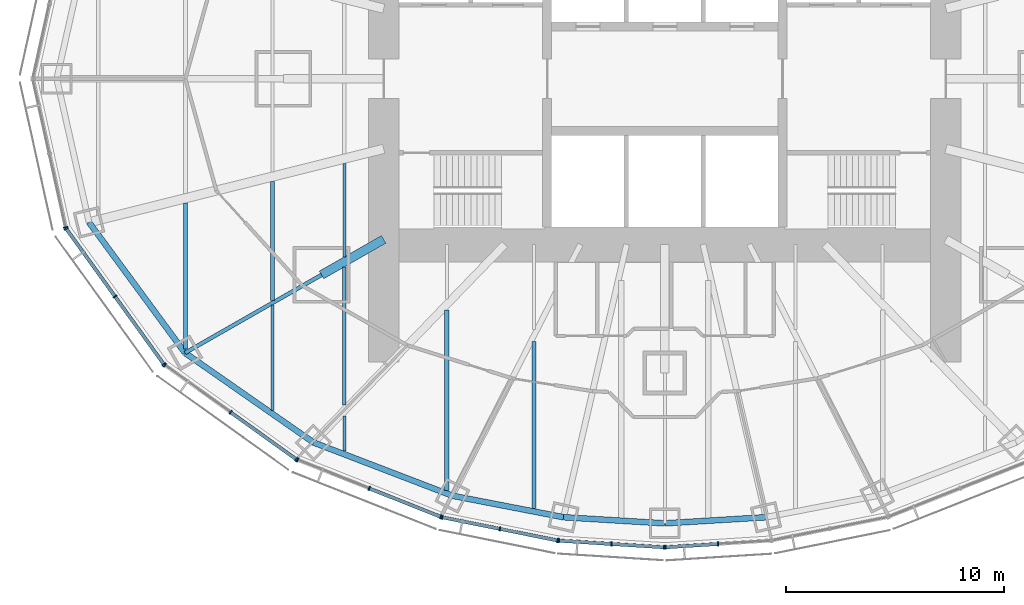
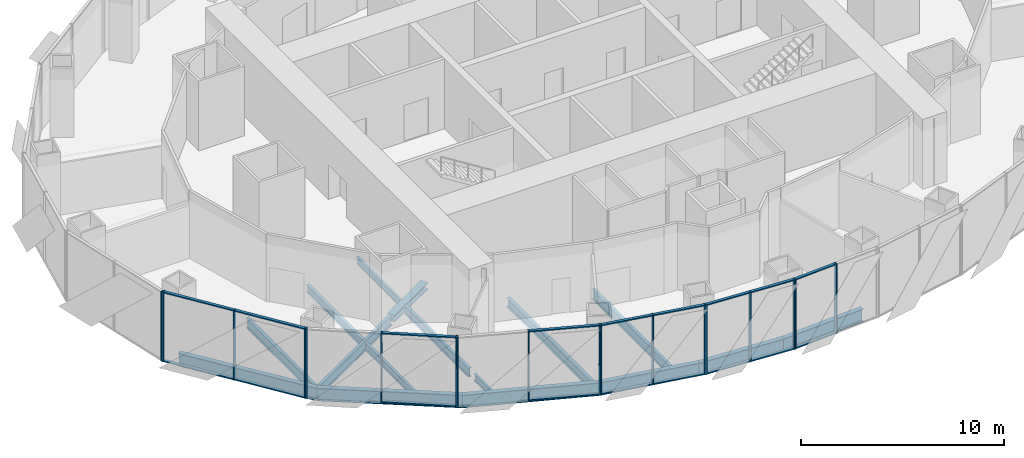
# One storey, part 2 of 18: 36 members, 16 beams, 7 elements without a shape of their own.
"""IFC4 building model written with IfcOpenShell, lengths in metres."""

import ifcopenshell
import ifcopenshell.guid

model = None  # the IFC model being written
_history = None  # IfcOwnerHistory: only IFC2X3 demands one
_inside = {}  # id of a spatial element -> (the spatial element, [elements in it])
_under = {}  # id of a project, library or spatial element -> (it, [spatial elements below it])
_declared = {}  # id of a project -> (the project, [libraries it declares])
_typed = {}  # id of a type object -> (the type object, [elements of that type])
_made_of = {}  # id of a material, layer set ... -> (it, [elements and type objects made of it])


def new_model(schema):
    """Start an empty IFC model of exactly this schema.

    Asked for "IFC4X3", IfcOpenShell would pick the latest addendum, in which some entities
    have other attributes; the version numbers below select the first issue.
    IFC2X3 requires an IfcOwnerHistory on every rooted entity: one is made here for all.
    """
    global model, _history
    if schema == "IFC4X3":
        model = ifcopenshell.file(schema_version=(4, 3, 0, 0))
    else:
        model = ifcopenshell.file(schema=schema)
    _inside.clear()
    _under.clear()
    _declared.clear()
    _typed.clear()
    _made_of.clear()
    _history = None
    if model.schema == "IFC2X3":
        org = make("IfcOrganization", Name="unknown")
        user = make(
            "IfcPersonAndOrganization",
            ThePerson=make("IfcPerson", FamilyName="unknown"),
            TheOrganization=org,
        )
        app = make(
            "IfcApplication",
            ApplicationDeveloper=org,
            Version="unknown",
            ApplicationFullName="unknown",
            ApplicationIdentifier="unknown",
        )
        _history = make(
            "IfcOwnerHistory",
            OwningUser=user,
            OwningApplication=app,
            ChangeAction="ADDED",
            CreationDate=0,
        )
    return model


def make(cls, **values):
    """One entity of the class cls with the attributes given. An attribute that is None is left unset."""
    return model.create_entity(
        cls, **{name: value for name, value in values.items() if value is not None}
    )


def rooted(cls, **values):
    """An entity with a GlobalId (a new one), such as an element, a storey or a relation."""
    return make(cls, GlobalId=ifcopenshell.guid.new(), OwnerHistory=_history, **values)


def si_unit(unit_type, name, prefix=None):
    """IfcSIUnit, for example si_unit("LENGTHUNIT", "METRE", prefix="MILLI")."""
    return make("IfcSIUnit", UnitType=unit_type, Prefix=prefix, Name=name)


def assignment(units):
    """IfcUnitAssignment: the units of a project."""
    return None if units is None else make("IfcUnitAssignment", Units=units)


def point(xyz):
    """IfcCartesianPoint."""
    return None if xyz is None else make("IfcCartesianPoint", Coordinates=xyz)


def direction(xyz):
    """IfcDirection."""
    return None if xyz is None else make("IfcDirection", DirectionRatios=xyz)


def frame(location, z_axis=None, x_axis=None):
    """IfcAxis2Placement3D, a coordinate frame: its origin and axes. An axis left out is left unset."""
    return make(
        "IfcAxis2Placement3D",
        Location=point(location),
        Axis=direction(z_axis),
        RefDirection=direction(x_axis),
    )


def frame_2d(location, x_axis=None):
    """IfcAxis2Placement2D, a coordinate frame in the plane: its origin and x axis."""
    return make(
        "IfcAxis2Placement2D", Location=point(location), RefDirection=direction(x_axis)
    )


def origin():
    """The frame at (0, 0, 0) with its axes left unset."""
    return frame((0.0, 0.0, 0.0))


def origin_2d():
    """The frame at (0, 0) in the plane with its x axis left unset."""
    return frame_2d((0.0, 0.0))


def place(relative_to, where):
    """IfcLocalPlacement: puts the frame where relative to a parent placement (None: the world)."""
    return make(
        "IfcLocalPlacement", PlacementRelTo=relative_to, RelativePlacement=where
    )


def context(
    kind, dimensions, precision=None, world=None, true_north=None, identifier=None
):
    """IfcGeometricRepresentationContext, for example the 3D "Model" context."""
    return make(
        "IfcGeometricRepresentationContext",
        ContextIdentifier=identifier,
        ContextType=kind,
        CoordinateSpaceDimension=dimensions,
        Precision=precision,
        WorldCoordinateSystem=world,
        TrueNorth=true_north,
    )


def subcontext(parent, identifier, kind, view, scale=None):
    """IfcGeometricRepresentationSubContext, for example "Body" below "Model"."""
    return make(
        "IfcGeometricRepresentationSubContext",
        ContextIdentifier=identifier,
        ContextType=kind,
        ParentContext=parent,
        TargetScale=scale,
        TargetView=view,
    )


def project(units=None, contexts=None):
    """IfcProject with its units and contexts."""
    return rooted(
        "IfcProject",
        Name="project",
        RepresentationContexts=contexts,
        UnitsInContext=assignment(units),
    )


def spatial(cls, under=None, at=None, **own):
    """A site, building, storey or space (cls), placed at a placement, below another one or the project."""
    s = rooted(cls, ObjectPlacement=at, **own)
    if under is not None:
        _under.setdefault(under.id(), (under, []))[1].append(s)
    return s


def profile(cls, at=None, kind="AREA", **sizes):
    """A parametric profile (cls). Its sizes go by their IFC names, for example OverallWidth=200.0."""
    return make(cls, ProfileType=kind, Position=at, **sizes)


def rectangle(**sizes):
    """IfcRectangleProfileDef."""
    return profile("IfcRectangleProfileDef", **sizes)


def i_section(**sizes):
    """IfcIShapeProfileDef."""
    return profile("IfcIShapeProfileDef", **sizes)


def extrude(swept, where, along, depth):
    """IfcExtrudedAreaSolid: the profile swept, set in the frame where, extruded along a direction by depth."""
    return make(
        "IfcExtrudedAreaSolid",
        SweptArea=swept,
        Position=where,
        ExtrudedDirection=direction(along),
        Depth=depth,
    )


def shape(context_of_items, identifier, shape_type, items):
    """IfcShapeRepresentation: the items that make up one representation, for example the "Body"."""
    return make(
        "IfcShapeRepresentation",
        ContextOfItems=context_of_items,
        RepresentationIdentifier=identifier,
        RepresentationType=shape_type,
        Items=items,
    )


def material(Name=None, Category=None):
    """IfcMaterial."""
    return make("IfcMaterial", Name=Name, Category=Category)


def material_profile(
    of_material, cross_section, Name=None, Category=None, Priority=None
):
    """IfcMaterialProfile: a cross section and its material."""
    return make(
        "IfcMaterialProfile",
        Name=Name,
        Material=of_material,
        Profile=cross_section,
        Priority=Priority,
        Category=Category,
    )


def profile_set(profiles, Name=None, composite=None):
    """IfcMaterialProfileSet."""
    return make(
        "IfcMaterialProfileSet",
        Name=Name,
        MaterialProfiles=profiles,
        CompositeProfile=composite,
    )


def made_of(thing, what):
    """Note that an element or type object is made of a material, layer set ...; save() writes the relation."""
    if what is not None:
        _made_of.setdefault(what.id(), (what, []))[1].append(thing)
    return thing


def type_object(cls, material=None, **own):
    """A type object (cls), such as IfcWallType, which elements share."""
    return made_of(rooted(cls, **own), material)


def element(
    cls,
    number,
    at=None,
    inside=None,
    cuts=None,
    type_object=None,
    material=None,
    context=None,
    identifier="Body",
    shape_type=None,
    held_by="IfcProductDefinitionShape",
    body=None,
    shapes=None,
    **own,
):
    """One element of the class cls, such as IfcWall. Its Tag is "e" and its number.

    at: its placement. inside: the storey or other place that contains it. cuts: it is an
    opening in that element (IfcRelVoidsElement). A single representation is given by context,
    identifier, shape_type and body (its items); several are given by shapes. held_by: the class
    of the entity that holds the representations. save() writes the other relations.
    """
    e = rooted(cls, Tag="e%d" % number, ObjectPlacement=at, **own)
    if body is not None:
        shapes = [shape(context, identifier, shape_type, body)]
    if shapes is not None:
        e.Representation = make(held_by, Representations=shapes)
    if inside is not None:
        _inside.setdefault(inside.id(), (inside, []))[1].append(e)
    if cuts is not None:
        rooted(
            "IfcRelVoidsElement", RelatingBuildingElement=cuts, RelatedOpeningElement=e
        )
    if type_object is not None:
        _typed.setdefault(type_object.id(), (type_object, []))[1].append(e)
    return made_of(e, material)


def aggregate(whole, parts):
    """IfcRelAggregates: a whole, such as a stair, and the parts it consists of."""
    return rooted("IfcRelAggregates", RelatingObject=whole, RelatedObjects=parts)


def save(model, path):
    """Write the relations noted so far, then the file.

    IfcRelAggregates (storeys below a building ...), IfcRelContainedInSpatialStructure (elements
    in a storey), IfcRelDefinesByType, IfcRelAssociatesMaterial and IfcRelDeclares: one each for
    every whole, place, type object, material and project.
    """
    for whole, parts in _under.values():
        aggregate(whole, parts)
    for where, things in _inside.values():
        rooted(
            "IfcRelContainedInSpatialStructure",
            RelatedElements=things,
            RelatingStructure=where,
        )
    for kind, things in _typed.values():
        rooted("IfcRelDefinesByType", RelatedObjects=things, RelatingType=kind)
    for what, things in _made_of.values():
        rooted("IfcRelAssociatesMaterial", RelatedObjects=things, RelatingMaterial=what)
    for by, libraries in _declared.values():
        rooted("IfcRelDeclares", RelatingContext=by, RelatedDefinitions=libraries)
    model.write(path)


model = new_model("IFC4")

# Units and contexts
model_context = context("Model", 3, precision=1e-05, world=origin(), true_north=direction((0.0, 1.0)))
body_context = subcontext(model_context, "Body", "Model", "MODEL_VIEW")
ifc_project = project(units=[si_unit("LENGTHUNIT", "METRE"), si_unit("AREAUNIT", "SQUARE_METRE"), si_unit("VOLUMEUNIT", "CUBIC_METRE"), si_unit("PLANEANGLEUNIT", "RADIAN"), si_unit("MASSUNIT", "GRAM", prefix="KILO")], contexts=[model_context])

# Site, building, storey
site_placement = place(None, origin())
site = spatial("IfcSite", under=ifc_project, at=site_placement, CompositionType="ELEMENT")
building_placement = place(site_placement, origin())
building = spatial("IfcBuilding", under=site, at=building_placement, Name="Lantaw Convention Tower", CompositionType="ELEMENT")
storey_placement = place(building_placement, frame((0.0, 0.0, 176.199951171875)))
storey = spatial("IfcBuildingStorey", under=building, at=storey_placement, Name="L41", CompositionType="ELEMENT", Elevation=176.199951171875)

# Beams
ifc_material_1 = material(Name="Steel ASTM A992", Category="steel")
ifc_material_profile_1 = material_profile(ifc_material_1, i_section(OverallWidth=0.2666015625, OverallDepth=0.76953125, WebThickness=0.015625, FlangeThickness=0.025390625, FilletRadius=0.0126953125, at=origin_2d()), Name="W30X132")
ifc_profile_set_1 = profile_set([ifc_material_profile_1], Name="Steel ASTM A992")
beam_type_1 = type_object("IfcBeamType", Name="Beam E W30X132", PredefinedType="SPANDREL", material=ifc_profile_set_1)
beam_1_placement = place(storey_placement, frame((-26.419921875, -6.587158203125, -0.53466796875), z_axis=(0.5923891972, -0.805651934176, 0.0), x_axis=(0.805651934176, 0.5923891972, 0.0)))
element("IfcBeam", 1, at=beam_1_placement, inside=storey, type_object=beam_type_1, Name="Edge beam 14", PredefinedType="SPANDREL", context=body_context, shape_type="SweptSolid", body=[
    extrude(i_section(OverallWidth=0.2666015625, OverallDepth=0.76953125, WebThickness=0.015625, FlangeThickness=0.025390625, FilletRadius=0.0126953125, at=origin_2d()), origin(), (0.0, 0.0, 1.0), 7.437744140625),
])
beam_2_placement = place(storey_placement, frame((-22.013916015625, -12.579345703125, -0.53466796875), z_axis=(0.820310765287, -0.57191804339, 0.0), x_axis=(0.57191804339, 0.820310765287, 0.0)))
element("IfcBeam", 2, at=beam_2_placement, inside=storey, type_object=beam_type_1, Name="Edge beam 15", PredefinedType="SPANDREL", context=body_context, shape_type="SweptSolid", body=[
    extrude(i_section(OverallWidth=0.2666015625, OverallDepth=0.76953125, WebThickness=0.015625, FlangeThickness=0.025390625, FilletRadius=0.0126953125, at=origin_2d()), origin(), (0.0, 0.0, 1.0), 7.187744140625),
])
beam_3_placement = place(storey_placement, frame((-16.11767578125, -16.690185546875, -0.53466796875), z_axis=(0.933691081977, -0.358079549033, 0.0), x_axis=(0.358079549033, 0.933691081977, 0.0)))
element("IfcBeam", 3, at=beam_3_placement, inside=storey, type_object=beam_type_1, Name="Edge beam 16", PredefinedType="SPANDREL", context=body_context, shape_type="SweptSolid", body=[
    extrude(i_section(OverallWidth=0.2666015625, OverallDepth=0.76953125, WebThickness=0.015625, FlangeThickness=0.025390625, FilletRadius=0.0126953125, at=origin_2d()), origin(), (0.0, 0.0, 1.0), 6.821533203125),
])
beam_4_placement = place(storey_placement, frame((-9.74853515625, -19.1328125, -0.53466796875), z_axis=(0.981796805654, -0.189934284446, 0.0), x_axis=(0.189934284446, 0.981796805654, 0.0)))
element("IfcBeam", 4, at=beam_4_placement, inside=storey, type_object=beam_type_1, Name="Edge beam 17", PredefinedType="SPANDREL", context=body_context, shape_type="SweptSolid", body=[
    extrude(i_section(OverallWidth=0.2666015625, OverallDepth=0.76953125, WebThickness=0.015625, FlangeThickness=0.025390625, FilletRadius=0.0126953125, at=origin_2d()), origin(), (0.0, 0.0, 1.0), 5.1982421875),
])
for number, where, z_axis, x_axis, name in (
    (5, (-4.64501953125, -20.1201171875, -0.53466796875), (0.998190892054, -0.06012439621, 0.0), (0.06012439621, 0.998190892054, 0.0), "Edge beam 18"),
    (6, (0.0, -20.39990234375, -0.53466796875), (0.998190892054, 0.06012439621, 0.0), (-0.06012439621, 0.998190892054, 0.0), "Edge beam 19"),
):
    element("IfcBeam", number, at=place(storey_placement, frame(where, z_axis=z_axis, x_axis=x_axis)), inside=storey, type_object=beam_type_1, Name=name, PredefinedType="SPANDREL", context=body_context, shape_type="SweptSolid", body=[
        extrude(i_section(OverallWidth=0.2666015625, OverallDepth=0.76953125, WebThickness=0.015625, FlangeThickness=0.025390625, FilletRadius=0.0126953125, at=origin_2d()), origin(), (0.0, 0.0, 1.0), 4.6533203125),
    ])
ifc_material_profile_2 = material_profile(ifc_material_1, i_section(OverallWidth=0.177978515625, OverallDepth=0.599365234375, WebThickness=0.010009765625, FlangeThickness=0.012939453125, FilletRadius=0.012939453125, at=origin_2d()), Name="W24X55")
ifc_profile_set_2 = profile_set([ifc_material_profile_2], Name="Steel ASTM A992")
beam_type_2 = type_object("IfcBeamType", Name="Beam G W24X55", PredefinedType="BEAM", material=ifc_profile_set_2)
beam_5_placement = place(storey_placement, frame((-15.75, -9.0, -0.44970703125), z_axis=(-0.868245224608, -0.496135293993, 0.0), x_axis=(0.496135293993, -0.868245224608, 0.0)))
element("IfcBeam", 7, at=beam_5_placement, inside=storey, type_object=beam_type_2, Name="Floor girder on ray 15", PredefinedType="BEAM", context=body_context, shape_type="SweptSolid", body=[
    extrude(i_section(OverallWidth=0.177978515625, OverallDepth=0.599365234375, WebThickness=0.010009765625, FlangeThickness=0.012939453125, FilletRadius=0.012939453125, at=origin_2d()), origin(), (0.0, 0.0, 1.0), 7.21435546875),
])
ifc_material_profile_3 = material_profile(ifc_material_1, i_section(OverallWidth=0.40380859375, OverallDepth=0.406494140625, WebThickness=0.027099609375, FlangeThickness=0.043701171875, FilletRadius=0.01513671875, at=origin_2d()), Name="W14X233")
ifc_profile_set_3 = profile_set([ifc_material_profile_3], Name="Steel ASTM A992")
beam_type_3 = type_object("IfcBeamType", Name="Beam GM W14X233", PredefinedType="BEAM", material=ifc_profile_set_3)
beam_6_placement = place(storey_placement, frame((-12.89990234375, -7.371337890625, -0.353271484375), z_axis=(-0.868238565244, -0.496146947811, 0.0), x_axis=(0.496146947811, -0.868238565244, 0.0)))
element("IfcBeam", 8, at=beam_6_placement, inside=storey, type_object=beam_type_3, Name="Core link beam on ray 15", PredefinedType="BEAM", context=body_context, shape_type="SweptSolid", body=[
    extrude(i_section(OverallWidth=0.40380859375, OverallDepth=0.406494140625, WebThickness=0.027099609375, FlangeThickness=0.043701171875, FilletRadius=0.01513671875, at=origin_2d()), origin(), (0.0, 0.0, 1.0), 3.28271484375),
])
ifc_material_profile_4 = material_profile(ifc_material_1, i_section(OverallWidth=0.140380859375, OverallDepth=0.40380859375, WebThickness=0.007080078125, FlangeThickness=0.01123046875, FilletRadius=0.01025390625, at=origin_2d()), Name="W16X31")
ifc_profile_set_4 = profile_set([ifc_material_profile_4], Name="Steel ASTM A992")
beam_type_4 = type_object("IfcBeamType", Name="Beam J W16X31", PredefinedType="JOIST", material=ifc_profile_set_4)
beam_7_placement = place(storey_placement, frame((-14.699951171875, -17.091064453125, -0.351806640625), z_axis=(0.0, 1.0, 0.0), x_axis=(-1.0, 0.0, 0.0)))
element("IfcBeam", 9, at=beam_7_placement, inside=storey, type_object=beam_type_4, Name="Floor joist", PredefinedType="JOIST", context=body_context, shape_type="SweptSolid", body=[
    extrude(i_section(OverallWidth=0.140380859375, OverallDepth=0.40380859375, WebThickness=0.007080078125, FlangeThickness=0.01123046875, FilletRadius=0.01025390625, at=origin_2d()), origin(), (0.0, 0.0, 1.0), 1.609130859375),
])
beam_8_placement = place(storey_placement, frame((-14.699951171875, -8.16748046875, -0.351806640625), z_axis=(0.0, 1.0, 0.0), x_axis=(-1.0, 0.0, 0.0)))
element("IfcBeam", 10, at=beam_8_placement, inside=storey, type_object=beam_type_4, Name="Floor joist", PredefinedType="JOIST", context=body_context, shape_type="SweptSolid", body=[
    extrude(i_section(OverallWidth=0.140380859375, OverallDepth=0.40380859375, WebThickness=0.007080078125, FlangeThickness=0.01123046875, FilletRadius=0.01025390625, at=origin_2d()), origin(), (0.0, 0.0, 1.0), 4.28515625),
])
ifc_material_profile_5 = material_profile(ifc_material_1, i_section(OverallWidth=0.15234375, OverallDepth=0.449462890625, WebThickness=0.007568359375, FlangeThickness=0.0107421875, FilletRadius=0.01025390625, at=origin_2d()), Name="W18X35")
ifc_profile_set_5 = profile_set([ifc_material_profile_5], Name="Steel ASTM A992")
beam_type_5 = type_object("IfcBeamType", Name="Beam J W18X35", PredefinedType="JOIST", material=ifc_profile_set_5)
beam_9_placement = place(storey_placement, frame((-18.0, -15.21533203125, -0.374755859375), z_axis=(0.0, 1.0, 0.0), x_axis=(-1.0, 0.0, 0.0)))
element("IfcBeam", 11, at=beam_9_placement, inside=storey, type_object=beam_type_5, Name="Floor joist", PredefinedType="JOIST", context=body_context, shape_type="SweptSolid", body=[
    extrude(i_section(OverallWidth=0.15234375, OverallDepth=0.449462890625, WebThickness=0.007568359375, FlangeThickness=0.0107421875, FilletRadius=0.01025390625, at=origin_2d()), origin(), (0.0, 0.0, 1.0), 4.8271484375),
])
ifc_material_profile_6 = material_profile(ifc_material_1, i_section(OverallWidth=0.1904296875, OverallDepth=0.457275390625, WebThickness=0.009033203125, FlangeThickness=0.014404296875, FilletRadius=0.01025390625, at=origin_2d()), Name="W18X50")
ifc_profile_set_6 = profile_set([ifc_material_profile_6], Name="Steel ASTM A992")
beam_type_6 = type_object("IfcBeamType", Name="Beam J W18X50", PredefinedType="JOIST", material=ifc_profile_set_6)
beam_10_placement = place(storey_placement, frame((-18.0, -10.18310546875, -0.378662109375), z_axis=(0.0, 1.0, 0.0), x_axis=(-1.0, 0.0, 0.0)))
element("IfcBeam", 12, at=beam_10_placement, inside=storey, type_object=beam_type_6, Name="Floor joist", PredefinedType="JOIST", context=body_context, shape_type="SweptSolid", body=[
    extrude(i_section(OverallWidth=0.1904296875, OverallDepth=0.457275390625, WebThickness=0.009033203125, FlangeThickness=0.014404296875, FilletRadius=0.01025390625, at=origin_2d()), origin(), (0.0, 0.0, 1.0), 5.47802734375),
])
ifc_material_profile_7 = material_profile(ifc_material_1, i_section(OverallWidth=0.1650390625, OverallDepth=0.52587890625, WebThickness=0.0087890625, FlangeThickness=0.011474609375, FilletRadius=0.0126953125, at=origin_2d()), Name="W21X44")
ifc_profile_set_7 = profile_set([ifc_material_profile_7], Name="Steel ASTM A992")
beam_type_7 = type_object("IfcBeamType", Name="Beam J W21X44", PredefinedType="JOIST", material=ifc_profile_set_7)
beam_11_placement = place(storey_placement, frame((-14.699951171875, -14.962646484375, -0.412841796875), z_axis=(0.0, 1.0, 0.0), x_axis=(-1.0, 0.0, 0.0)))
element("IfcBeam", 13, at=beam_11_placement, inside=storey, type_object=beam_type_7, Name="Floor joist", PredefinedType="JOIST", context=body_context, shape_type="SweptSolid", body=[
    extrude(i_section(OverallWidth=0.1650390625, OverallDepth=0.52587890625, WebThickness=0.0087890625, FlangeThickness=0.011474609375, FilletRadius=0.0126953125, at=origin_2d()), origin(), (0.0, 0.0, 1.0), 6.330078125),
])
ifc_material_profile_8 = material_profile(ifc_material_1, i_section(OverallWidth=0.2099609375, OverallDepth=0.535888671875, WebThickness=0.010986328125, FlangeThickness=0.017333984375, FilletRadius=0.012939453125, at=origin_2d()), Name="W21X68")
ifc_profile_set_8 = profile_set([ifc_material_profile_8], Name="Steel ASTM A992")
beam_type_8 = type_object("IfcBeamType", Name="Beam J W21X68", PredefinedType="JOIST", material=ifc_profile_set_8)
beam_12_placement = place(storey_placement, frame((-10.0, -18.8935546875, -0.41796875), z_axis=(0.0, 1.0, 0.0), x_axis=(-1.0, 0.0, 0.0)))
element("IfcBeam", 14, at=beam_12_placement, inside=storey, type_object=beam_type_8, Name="Floor joist", PredefinedType="JOIST", context=body_context, shape_type="SweptSolid", body=[
    extrude(i_section(OverallWidth=0.2099609375, OverallDepth=0.535888671875, WebThickness=0.010986328125, FlangeThickness=0.017333984375, FilletRadius=0.012939453125, at=origin_2d()), origin(), (0.0, 0.0, 1.0), 8.278564453125),
])
ifc_material_profile_9 = material_profile(ifc_material_1, i_section(OverallWidth=0.177978515625, OverallDepth=0.599365234375, WebThickness=0.010009765625, FlangeThickness=0.012939453125, FilletRadius=0.012939453125, at=origin_2d()), Name="W24X55")
ifc_profile_set_9 = profile_set([ifc_material_profile_9], Name="Steel ASTM A992")
beam_type_9 = type_object("IfcBeamType", Name="Beam J W24X55", PredefinedType="JOIST", material=ifc_profile_set_9)
beam_13_placement = place(storey_placement, frame((-22.0, -12.408935546875, -0.44970703125), z_axis=(0.0, 1.0, 0.0), x_axis=(-1.0, 0.0, 0.0)))
element("IfcBeam", 15, at=beam_13_placement, inside=storey, type_object=beam_type_9, Name="Floor joist", PredefinedType="JOIST", context=body_context, shape_type="SweptSolid", body=[
    extrude(i_section(OverallWidth=0.177978515625, OverallDepth=0.599365234375, WebThickness=0.010009765625, FlangeThickness=0.012939453125, FilletRadius=0.012939453125, at=origin_2d()), origin(), (0.0, 0.0, 1.0), 6.70654296875),
])
beam_14_placement = place(storey_placement, frame((-6.0, -19.72216796875, -0.44970703125), z_axis=(0.0, 1.0, 0.0), x_axis=(-1.0, 0.0, 0.0)))
element("IfcBeam", 16, at=beam_14_placement, inside=storey, type_object=beam_type_9, Name="Floor joist", PredefinedType="JOIST", context=body_context, shape_type="SweptSolid", body=[
    extrude(i_section(OverallWidth=0.177978515625, OverallDepth=0.599365234375, WebThickness=0.010009765625, FlangeThickness=0.012939453125, FilletRadius=0.012939453125, at=origin_2d()), origin(), (0.0, 0.0, 1.0), 7.666748046875),
])

# Curtain wall, member
ifc_material_2 = material(Name="Aluminium framed curtain wall", Category="aluminium")
curtain_wall_type = type_object("IfcCurtainWallType", Name="Office curtain wall low rise, pale aluminium", PredefinedType="USERDEFINED", material=ifc_material_2)
curtain_wall_1_placement = place(storey_placement, origin())
curtain_wall_1 = element("IfcCurtainWall", 17, at=curtain_wall_1_placement, inside=storey, type_object=curtain_wall_type, Name="Office curtain wall low rise, pale aluminium L41", ObjectType="UNITISED CURTAIN WALL", PredefinedType="USERDEFINED")
ifc_material_3 = material(Name="Aluminium 6063-T6", Category="aluminium")
ifc_material_profile_10 = material_profile(ifc_material_3, rectangle(XDim=0.199951171875, YDim=0.06494140625, at=origin_2d()), Name="CW-O1 mullion 65x200")
ifc_profile_set_10 = profile_set([ifc_material_profile_10], Name="Aluminium 6063-T6")
member_type_1 = type_object("IfcMemberType", Name="CW-O1 mullion 65x200", PredefinedType="MULLION", material=ifc_profile_set_10)
member_1_placement = place(storey_placement, frame((-27.494140625, -6.821533203125, -0.14990234375), z_axis=(0.0, 0.0, 1.0), x_axis=(0.9764936509, 0.215546166174, 0.0)))
member_1 = element("IfcMember", 18, at=member_1_placement, type_object=member_type_1, Name="CW-O1 mullion 3", PredefinedType="MULLION", context=body_context, shape_type="SweptSolid", body=[
    extrude(rectangle(XDim=0.199951171875, YDim=0.06494140625, at=origin_2d()), origin(), (0.0, 0.0, 1.0), 4.199951171875),
])
aggregate(curtain_wall_1, [member_1])

# Curtain wall, members
curtain_wall_2_placement = place(storey_placement, origin())
curtain_wall_2 = element("IfcCurtainWall", 19, at=curtain_wall_2_placement, inside=storey, type_object=curtain_wall_type, Name="Office curtain wall low rise, pale aluminium L41", ObjectType="UNITISED CURTAIN WALL", PredefinedType="USERDEFINED")
member_2_placement = place(storey_placement, frame((-27.46826171875, -6.879638671875, -0.14990234375), z_axis=(0.0, 0.0, 1.0), x_axis=(0.811384633629, 0.584512597221, 0.0)))
member_2 = element("IfcMember", 20, at=member_2_placement, type_object=member_type_1, Name="CW-O1 mullion 1", PredefinedType="MULLION", context=body_context, shape_type="SweptSolid", body=[
    extrude(rectangle(XDim=0.199951171875, YDim=0.06494140625, at=origin_2d()), origin(), (0.0, 0.0, 1.0), 4.199951171875),
])
member_3_placement = place(storey_placement, frame((-25.22802734375, -9.9892578125, -0.14990234375), z_axis=(0.0, 0.0, 1.0), x_axis=(0.811384633629, 0.584512597221, 0.0)))
member_3 = element("IfcMember", 21, at=member_3_placement, type_object=member_type_1, Name="CW-O1 mullion 2", PredefinedType="MULLION", context=body_context, shape_type="SweptSolid", body=[
    extrude(rectangle(XDim=0.199951171875, YDim=0.06494140625, at=origin_2d()), origin(), (0.0, 0.0, 1.0), 4.199951171875),
])
member_4_placement = place(storey_placement, frame((-22.988037109375, -13.098876953125, -0.14990234375), z_axis=(0.0, 0.0, 1.0), x_axis=(0.811384633629, 0.584512597221, 0.0)))
member_4 = element("IfcMember", 22, at=member_4_placement, type_object=member_type_1, Name="CW-O1 mullion 3", PredefinedType="MULLION", context=body_context, shape_type="SweptSolid", body=[
    extrude(rectangle(XDim=0.199951171875, YDim=0.06494140625, at=origin_2d()), origin(), (0.0, 0.0, 1.0), 4.199951171875),
])

curtain_wall_3_placement = place(storey_placement, origin())
curtain_wall_3 = element("IfcCurtainWall", 23, at=curtain_wall_3_placement, inside=storey, type_object=curtain_wall_type, Name="Office curtain wall low rise, pale aluminium L41", ObjectType="UNITISED CURTAIN WALL", PredefinedType="USERDEFINED")
member_5_placement = place(storey_placement, frame((-22.942626953125, -13.14404296875, -0.14990234375), z_axis=(0.0, 0.0, 1.0), x_axis=(0.581972695693, 0.813208325995, 0.0)))
member_5 = element("IfcMember", 24, at=member_5_placement, type_object=member_type_1, Name="CW-O1 mullion 1", PredefinedType="MULLION", context=body_context, shape_type="SweptSolid", body=[
    extrude(rectangle(XDim=0.199951171875, YDim=0.06494140625, at=origin_2d()), origin(), (0.0, 0.0, 1.0), 4.199951171875),
])
member_6_placement = place(storey_placement, frame((-19.92529296875, -15.303466796875, -0.14990234375), z_axis=(0.0, 0.0, 1.0), x_axis=(0.581972695693, 0.813208325995, 0.0)))
member_6 = element("IfcMember", 25, at=member_6_placement, type_object=member_type_1, Name="CW-O1 mullion 2", PredefinedType="MULLION", context=body_context, shape_type="SweptSolid", body=[
    extrude(rectangle(XDim=0.199951171875, YDim=0.06494140625, at=origin_2d()), origin(), (0.0, 0.0, 1.0), 4.199951171875),
])
member_7_placement = place(storey_placement, frame((-16.908203125, -17.462646484375, -0.14990234375), z_axis=(0.0, 0.0, 1.0), x_axis=(0.581972695693, 0.813208325995, 0.0)))
member_7 = element("IfcMember", 26, at=member_7_placement, type_object=member_type_1, Name="CW-O1 mullion 3", PredefinedType="MULLION", context=body_context, shape_type="SweptSolid", body=[
    extrude(rectangle(XDim=0.199951171875, YDim=0.06494140625, at=origin_2d()), origin(), (0.0, 0.0, 1.0), 4.199951171875),
])

curtain_wall_4_placement = place(storey_placement, origin())
curtain_wall_4 = element("IfcCurtainWall", 27, at=curtain_wall_4_placement, inside=storey, type_object=curtain_wall_type, Name="Office curtain wall low rise, pale aluminium L41", ObjectType="UNITISED CURTAIN WALL", PredefinedType="USERDEFINED")
member_8_placement = place(storey_placement, frame((-16.8515625, -17.49365234375, -0.14990234375), z_axis=(0.0, 0.0, 1.0), x_axis=(0.368701907483, 0.929547687544, 0.0)))
member_8 = element("IfcMember", 28, at=member_8_placement, type_object=member_type_1, Name="CW-O1 mullion 1", PredefinedType="MULLION", context=body_context, shape_type="SweptSolid", body=[
    extrude(rectangle(XDim=0.199951171875, YDim=0.06494140625, at=origin_2d()), origin(), (0.0, 0.0, 1.0), 4.199951171875),
])
member_9_placement = place(storey_placement, frame((-13.56494140625, -18.797119140625, -0.14990234375), z_axis=(0.0, 0.0, 1.0), x_axis=(0.368701907483, 0.929547687544, 0.0)))
member_9 = element("IfcMember", 29, at=member_9_placement, type_object=member_type_1, Name="CW-O1 mullion 2", PredefinedType="MULLION", context=body_context, shape_type="SweptSolid", body=[
    extrude(rectangle(XDim=0.199951171875, YDim=0.06494140625, at=origin_2d()), origin(), (0.0, 0.0, 1.0), 4.199951171875),
])
member_10_placement = place(storey_placement, frame((-10.2783203125, -20.100830078125, -0.14990234375), z_axis=(0.0, 0.0, 1.0), x_axis=(0.368701907483, 0.929547687544, 0.0)))
member_10 = element("IfcMember", 30, at=member_10_placement, type_object=member_type_1, Name="CW-O1 mullion 3", PredefinedType="MULLION", context=body_context, shape_type="SweptSolid", body=[
    extrude(rectangle(XDim=0.199951171875, YDim=0.06494140625, at=origin_2d()), origin(), (0.0, 0.0, 1.0), 4.199951171875),
])

curtain_wall_5_placement = place(storey_placement, origin())
curtain_wall_5 = element("IfcCurtainWall", 31, at=curtain_wall_5_placement, inside=storey, type_object=curtain_wall_type, Name="Office curtain wall low rise, pale aluminium L41", ObjectType="UNITISED CURTAIN WALL", PredefinedType="USERDEFINED")
member_11_placement = place(storey_placement, frame((-10.216064453125, -20.119140625, -0.14990234375), z_axis=(0.0, 0.0, 1.0), x_axis=(0.197506809659, 0.980301514912, 0.0)))
member_11 = element("IfcMember", 32, at=member_11_placement, type_object=member_type_1, Name="CW-O1 mullion 1", PredefinedType="MULLION", context=body_context, shape_type="SweptSolid", body=[
    extrude(rectangle(XDim=0.199951171875, YDim=0.06494140625, at=origin_2d()), origin(), (0.0, 0.0, 1.0), 4.199951171875),
])
member_12_placement = place(storey_placement, frame((-7.5703125, -20.65234375, -0.14990234375), z_axis=(0.0, 0.0, 1.0), x_axis=(0.197506809659, 0.980301514912, 0.0)))
member_12 = element("IfcMember", 33, at=member_12_placement, type_object=member_type_1, Name="CW-O1 mullion 2", PredefinedType="MULLION", context=body_context, shape_type="SweptSolid", body=[
    extrude(rectangle(XDim=0.199951171875, YDim=0.06494140625, at=origin_2d()), origin(), (0.0, 0.0, 1.0), 4.199951171875),
])
member_13_placement = place(storey_placement, frame((-4.92431640625, -21.185302734375, -0.14990234375), z_axis=(0.0, 0.0, 1.0), x_axis=(0.197506809659, 0.980301514912, 0.0)))
member_13 = element("IfcMember", 34, at=member_13_placement, type_object=member_type_1, Name="CW-O1 mullion 3", PredefinedType="MULLION", context=body_context, shape_type="SweptSolid", body=[
    extrude(rectangle(XDim=0.199951171875, YDim=0.06494140625, at=origin_2d()), origin(), (0.0, 0.0, 1.0), 4.199951171875),
])

curtain_wall_6_placement = place(storey_placement, origin())
curtain_wall_6 = element("IfcCurtainWall", 35, at=curtain_wall_6_placement, inside=storey, type_object=curtain_wall_type, Name="Office curtain wall low rise, pale aluminium L41", ObjectType="UNITISED CURTAIN WALL", PredefinedType="USERDEFINED")
member_14_placement = place(storey_placement, frame((-4.860107421875, -21.19384765625, -0.14990234375), z_axis=(0.0, 0.0, 1.0), x_axis=(0.062865059466, 0.998022035978, 0.0)))
member_14 = element("IfcMember", 36, at=member_14_placement, type_object=member_type_1, Name="CW-O1 mullion 1", PredefinedType="MULLION", context=body_context, shape_type="SweptSolid", body=[
    extrude(rectangle(XDim=0.199951171875, YDim=0.06494140625, at=origin_2d()), origin(), (0.0, 0.0, 1.0), 4.199951171875),
])
member_15_placement = place(storey_placement, frame((-2.4462890625, -21.345947265625, -0.14990234375), z_axis=(0.0, 0.0, 1.0), x_axis=(0.062865059466, 0.998022035978, 0.0)))
member_15 = element("IfcMember", 37, at=member_15_placement, type_object=member_type_1, Name="CW-O1 mullion 2", PredefinedType="MULLION", context=body_context, shape_type="SweptSolid", body=[
    extrude(rectangle(XDim=0.199951171875, YDim=0.06494140625, at=origin_2d()), origin(), (0.0, 0.0, 1.0), 4.199951171875),
])
member_16_placement = place(storey_placement, frame((-0.032470703125, -21.498046875, -0.14990234375), z_axis=(0.0, 0.0, 1.0), x_axis=(0.062865059466, 0.998022035978, 0.0)))
member_16 = element("IfcMember", 38, at=member_16_placement, type_object=member_type_1, Name="CW-O1 mullion 3", PredefinedType="MULLION", context=body_context, shape_type="SweptSolid", body=[
    extrude(rectangle(XDim=0.199951171875, YDim=0.06494140625, at=origin_2d()), origin(), (0.0, 0.0, 1.0), 4.199951171875),
])

curtain_wall_7_placement = place(storey_placement, origin())
curtain_wall_7 = element("IfcCurtainWall", 39, at=curtain_wall_7_placement, inside=storey, type_object=curtain_wall_type, Name="Office curtain wall low rise, pale aluminium L41", ObjectType="UNITISED CURTAIN WALL", PredefinedType="USERDEFINED")
member_17_placement = place(storey_placement, frame((0.032470703125, -21.498046875, -0.14990234375), z_axis=(0.0, 0.0, 1.0), x_axis=(-0.062865059466, 0.998022035978, 0.0)))
member_17 = element("IfcMember", 40, at=member_17_placement, type_object=member_type_1, Name="CW-O1 mullion 1", PredefinedType="MULLION", context=body_context, shape_type="SweptSolid", body=[
    extrude(rectangle(XDim=0.199951171875, YDim=0.06494140625, at=origin_2d()), origin(), (0.0, 0.0, 1.0), 4.199951171875),
])
member_18_placement = place(storey_placement, frame((2.4462890625, -21.345947265625, -0.14990234375), z_axis=(0.0, 0.0, 1.0), x_axis=(-0.062865059466, 0.998022035978, 0.0)))
member_18 = element("IfcMember", 41, at=member_18_placement, type_object=member_type_1, Name="CW-O1 mullion 2", PredefinedType="MULLION", context=body_context, shape_type="SweptSolid", body=[
    extrude(rectangle(XDim=0.199951171875, YDim=0.06494140625, at=origin_2d()), origin(), (0.0, 0.0, 1.0), 4.199951171875),
])

# Member
ifc_material_profile_11 = material_profile(ifc_material_3, rectangle(XDim=0.159912109375, YDim=0.06494140625, at=origin_2d()), Name="CW-O1 transom 65x160")
ifc_profile_set_11 = profile_set([ifc_material_profile_11], Name="Aluminium 6063-T6")
member_type_2 = type_object("IfcMemberType", Name="CW-O1 transom 65x160", PredefinedType="USERDEFINED", material=ifc_profile_set_11)
member_19_placement = place(storey_placement, frame((-27.44921875, -6.906005859375, -0.117431640625), z_axis=(0.584512973979, -0.811384362217, 0.0), x_axis=(0.811384362217, 0.584512973979, 0.0)))
member_19 = element("IfcMember", 42, at=member_19_placement, type_object=member_type_2, Name="CW-O1 transom 1.1", ObjectType="TRANSOM", PredefinedType="USERDEFINED", context=body_context, shape_type="SweptSolid", body=[
    extrude(rectangle(XDim=0.159912109375, YDim=0.06494140625, at=origin_2d()), origin(), (0.0, 0.0, 1.0), 3.767578125),
])

member_20_placement = place(storey_placement, frame((-27.44921875, -6.906005859375, 4.017578125), z_axis=(0.584512973979, -0.811384362217, 0.0), x_axis=(0.811384362217, 0.584512973979, 0.0)))
member_20 = element("IfcMember", 43, at=member_20_placement, type_object=member_type_2, Name="CW-O1 transom 1.2", ObjectType="TRANSOM", PredefinedType="USERDEFINED", context=body_context, shape_type="SweptSolid", body=[
    extrude(rectangle(XDim=0.159912109375, YDim=0.06494140625, at=origin_2d()), origin(), (0.0, 0.0, 1.0), 3.767578125),
])

member_21_placement = place(storey_placement, frame((-25.209228515625, -10.015625, -0.117431640625), z_axis=(0.584512973979, -0.811384362217, 0.0), x_axis=(0.811384362217, 0.584512973979, 0.0)))
member_21 = element("IfcMember", 44, at=member_21_placement, type_object=member_type_2, Name="CW-O1 transom 2.1", ObjectType="TRANSOM", PredefinedType="USERDEFINED", context=body_context, shape_type="SweptSolid", body=[
    extrude(rectangle(XDim=0.159912109375, YDim=0.06494140625, at=origin_2d()), origin(), (0.0, 0.0, 1.0), 3.767578125),
])

member_22_placement = place(storey_placement, frame((-25.209228515625, -10.015625, 4.017578125), z_axis=(0.584512973979, -0.811384362217, 0.0), x_axis=(0.811384362217, 0.584512973979, 0.0)))
member_22 = element("IfcMember", 45, at=member_22_placement, type_object=member_type_2, Name="CW-O1 transom 2.2", ObjectType="TRANSOM", PredefinedType="USERDEFINED", context=body_context, shape_type="SweptSolid", body=[
    extrude(rectangle(XDim=0.159912109375, YDim=0.06494140625, at=origin_2d()), origin(), (0.0, 0.0, 1.0), 3.767578125),
])

aggregate(curtain_wall_2, [member_2, member_3, member_4, member_19, member_20, member_21, member_22])

member_23_placement = place(storey_placement, frame((-19.89892578125, -15.322265625, -0.117431640625), z_axis=(0.813190089133, -0.581998177777, 0.0), x_axis=(0.581998177777, 0.813190089133, 0.0)))
member_23 = element("IfcMember", 46, at=member_23_placement, type_object=member_type_2, Name="CW-O1 transom 2.1", ObjectType="TRANSOM", PredefinedType="USERDEFINED", context=body_context, shape_type="SweptSolid", body=[
    extrude(rectangle(XDim=0.159912109375, YDim=0.06494140625, at=origin_2d()), origin(), (0.0, 0.0, 1.0), 3.645263671875),
])

member_24_placement = place(storey_placement, frame((-19.89892578125, -15.322265625, 4.017578125), z_axis=(0.813190089133, -0.581998177777, 0.0), x_axis=(0.581998177777, 0.813190089133, 0.0)))
member_24 = element("IfcMember", 47, at=member_24_placement, type_object=member_type_2, Name="CW-O1 transom 2.2", ObjectType="TRANSOM", PredefinedType="USERDEFINED", context=body_context, shape_type="SweptSolid", body=[
    extrude(rectangle(XDim=0.159912109375, YDim=0.06494140625, at=origin_2d()), origin(), (0.0, 0.0, 1.0), 3.645263671875),
])

aggregate(curtain_wall_3, [member_5, member_6, member_7, member_23, member_24])

member_25_placement = place(storey_placement, frame((-13.53466796875, -18.80908203125, -0.117431640625), z_axis=(0.929540081544, -0.368721082668, 0.0), x_axis=(0.368721082668, 0.929540081544, 0.0)))
member_25 = element("IfcMember", 48, at=member_25_placement, type_object=member_type_2, Name="CW-O1 transom 2.1", ObjectType="TRANSOM", PredefinedType="USERDEFINED", context=body_context, shape_type="SweptSolid", body=[
    extrude(rectangle(XDim=0.159912109375, YDim=0.06494140625, at=origin_2d()), origin(), (0.0, 0.0, 1.0), 3.470947265625),
])

member_26_placement = place(storey_placement, frame((-13.53466796875, -18.80908203125, 4.017578125), z_axis=(0.929540081544, -0.368721082668, 0.0), x_axis=(0.368721082668, 0.929540081544, 0.0)))
member_26 = element("IfcMember", 49, at=member_26_placement, type_object=member_type_2, Name="CW-O1 transom 2.2", ObjectType="TRANSOM", PredefinedType="USERDEFINED", context=body_context, shape_type="SweptSolid", body=[
    extrude(rectangle(XDim=0.159912109375, YDim=0.06494140625, at=origin_2d()), origin(), (0.0, 0.0, 1.0), 3.470947265625),
])

aggregate(curtain_wall_4, [member_8, member_9, member_10, member_25, member_26])

member_27_placement = place(storey_placement, frame((-10.184326171875, -20.125732421875, -0.117431640625), z_axis=(0.980301643003, -0.197506173891, 0.0), x_axis=(0.197506173891, 0.980301643003, 0.0)))
member_27 = element("IfcMember", 50, at=member_27_placement, type_object=member_type_2, Name="CW-O1 transom 1.1", ObjectType="TRANSOM", PredefinedType="USERDEFINED", context=body_context, shape_type="SweptSolid", body=[
    extrude(rectangle(XDim=0.159912109375, YDim=0.06494140625, at=origin_2d()), origin(), (0.0, 0.0, 1.0), 2.63427734375),
])

member_28_placement = place(storey_placement, frame((-10.184326171875, -20.125732421875, 4.017578125), z_axis=(0.980301643003, -0.197506173891, 0.0), x_axis=(0.197506173891, 0.980301643003, 0.0)))
member_28 = element("IfcMember", 51, at=member_28_placement, type_object=member_type_2, Name="CW-O1 transom 1.2", ObjectType="TRANSOM", PredefinedType="USERDEFINED", context=body_context, shape_type="SweptSolid", body=[
    extrude(rectangle(XDim=0.159912109375, YDim=0.06494140625, at=origin_2d()), origin(), (0.0, 0.0, 1.0), 2.63427734375),
])

member_29_placement = place(storey_placement, frame((-7.538330078125, -20.65869140625, -0.117431640625), z_axis=(0.980298027092, -0.197524120247, 0.0), x_axis=(0.197524120247, 0.980298027092, 0.0)))
member_29 = element("IfcMember", 52, at=member_29_placement, type_object=member_type_2, Name="CW-O1 transom 2.1", ObjectType="TRANSOM", PredefinedType="USERDEFINED", context=body_context, shape_type="SweptSolid", body=[
    extrude(rectangle(XDim=0.159912109375, YDim=0.06494140625, at=origin_2d()), origin(), (0.0, 0.0, 1.0), 2.634033203125),
])

member_30_placement = place(storey_placement, frame((-7.538330078125, -20.65869140625, 4.017578125), z_axis=(0.980298027092, -0.197524120247, 0.0), x_axis=(0.197524120247, 0.980298027092, 0.0)))
member_30 = element("IfcMember", 53, at=member_30_placement, type_object=member_type_2, Name="CW-O1 transom 2.2", ObjectType="TRANSOM", PredefinedType="USERDEFINED", context=body_context, shape_type="SweptSolid", body=[
    extrude(rectangle(XDim=0.159912109375, YDim=0.06494140625, at=origin_2d()), origin(), (0.0, 0.0, 1.0), 2.634033203125),
])

aggregate(curtain_wall_5, [member_11, member_12, member_13, member_27, member_28, member_29, member_30])

member_31_placement = place(storey_placement, frame((-4.82763671875, -21.19580078125, -0.117431640625), z_axis=(0.998022188463, -0.062862638625, 0.0), x_axis=(0.062862638625, 0.998022188463, 0.0)))
member_31 = element("IfcMember", 54, at=member_31_placement, type_object=member_type_2, Name="CW-O1 transom 1.1", ObjectType="TRANSOM", PredefinedType="USERDEFINED", context=body_context, shape_type="SweptSolid", body=[
    extrude(rectangle(XDim=0.159912109375, YDim=0.06494140625, at=origin_2d()), origin(), (0.0, 0.0, 1.0), 2.353515625),
])

member_32_placement = place(storey_placement, frame((-4.82763671875, -21.19580078125, 4.017578125), z_axis=(0.998022188463, -0.062862638625, 0.0), x_axis=(0.062862638625, 0.998022188463, 0.0)))
member_32 = element("IfcMember", 55, at=member_32_placement, type_object=member_type_2, Name="CW-O1 transom 1.2", ObjectType="TRANSOM", PredefinedType="USERDEFINED", context=body_context, shape_type="SweptSolid", body=[
    extrude(rectangle(XDim=0.159912109375, YDim=0.06494140625, at=origin_2d()), origin(), (0.0, 0.0, 1.0), 2.353515625),
])

member_33_placement = place(storey_placement, frame((-2.413818359375, -21.347900390625, -0.117431640625), z_axis=(0.998022188463, -0.062862638625, 0.0), x_axis=(0.062862638625, 0.998022188463, 0.0)))
member_33 = element("IfcMember", 56, at=member_33_placement, type_object=member_type_2, Name="CW-O1 transom 2.1", ObjectType="TRANSOM", PredefinedType="USERDEFINED", context=body_context, shape_type="SweptSolid", body=[
    extrude(rectangle(XDim=0.159912109375, YDim=0.06494140625, at=origin_2d()), origin(), (0.0, 0.0, 1.0), 2.353515625),
])

member_34_placement = place(storey_placement, frame((-2.413818359375, -21.347900390625, 4.017578125), z_axis=(0.998022188463, -0.062862638625, 0.0), x_axis=(0.062862638625, 0.998022188463, 0.0)))
member_34 = element("IfcMember", 57, at=member_34_placement, type_object=member_type_2, Name="CW-O1 transom 2.2", ObjectType="TRANSOM", PredefinedType="USERDEFINED", context=body_context, shape_type="SweptSolid", body=[
    extrude(rectangle(XDim=0.159912109375, YDim=0.06494140625, at=origin_2d()), origin(), (0.0, 0.0, 1.0), 2.353515625),
])

aggregate(curtain_wall_6, [member_14, member_15, member_16, member_31, member_32, member_33, member_34])

member_35_placement = place(storey_placement, frame((0.06494140625, -21.495849609375, -0.117431640625), z_axis=(0.998022188463, 0.062862638625, 0.0), x_axis=(-0.062862638625, 0.998022188463, 0.0)))
member_35 = element("IfcMember", 58, at=member_35_placement, type_object=member_type_2, Name="CW-O1 transom 1.1", ObjectType="TRANSOM", PredefinedType="USERDEFINED", context=body_context, shape_type="SweptSolid", body=[
    extrude(rectangle(XDim=0.159912109375, YDim=0.06494140625, at=origin_2d()), origin(), (0.0, 0.0, 1.0), 2.353515625),
])

member_36_placement = place(storey_placement, frame((0.06494140625, -21.495849609375, 4.017578125), z_axis=(0.998022188463, 0.062862638625, 0.0), x_axis=(-0.062862638625, 0.998022188463, 0.0)))
member_36 = element("IfcMember", 59, at=member_36_placement, type_object=member_type_2, Name="CW-O1 transom 1.2", ObjectType="TRANSOM", PredefinedType="USERDEFINED", context=body_context, shape_type="SweptSolid", body=[
    extrude(rectangle(XDim=0.159912109375, YDim=0.06494140625, at=origin_2d()), origin(), (0.0, 0.0, 1.0), 2.353515625),
])

aggregate(curtain_wall_7, [member_17, member_18, member_35, member_36])

save(model, "model.ifc")
